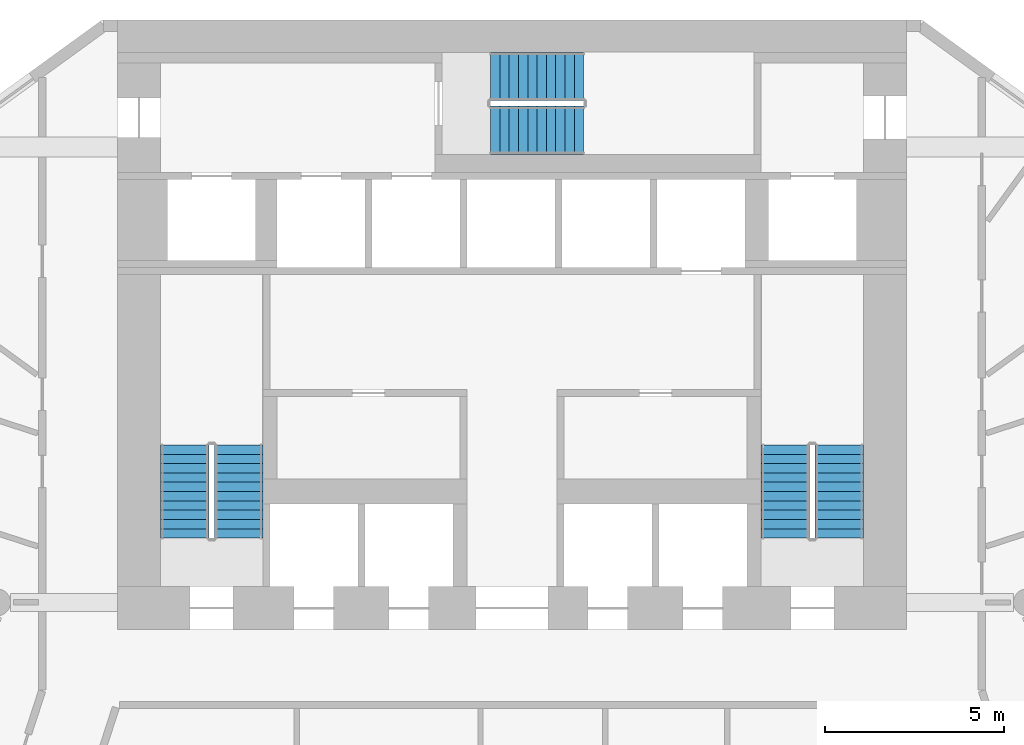
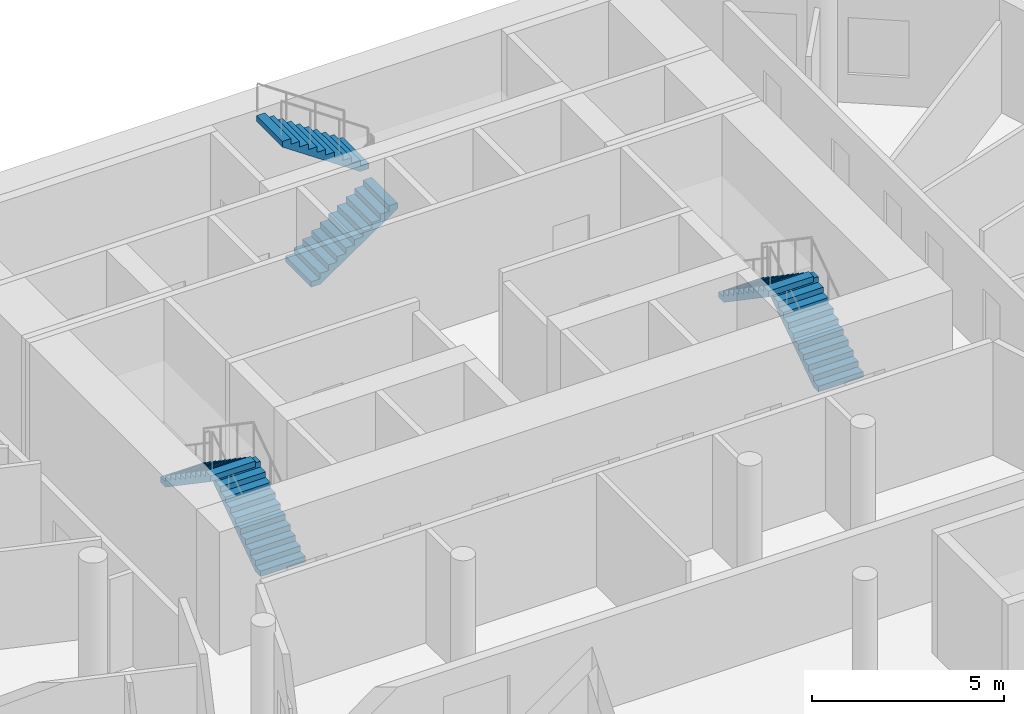
# One storey, part 7 of 9: 6 stair flights, 3 elements without a shape of their own.
"""IFC4 building model written with IfcOpenShell, lengths in metres."""

from ifc_helpers import new_model, si_unit, direction, frame, origin, place, context, subcontext, project, spatial, polyline, outline, extrude, material, layer, layer_set, type_object, element, aggregate, save


model = new_model("IFC4")

# Units and contexts
model_context = context("Model", 3, precision=1e-05, world=origin(), true_north=direction((0.0, 1.0)))
body_context = subcontext(model_context, "Body", "Model", "MODEL_VIEW")
ifc_project = project(units=[si_unit("LENGTHUNIT", "METRE"), si_unit("AREAUNIT", "SQUARE_METRE"), si_unit("VOLUMEUNIT", "CUBIC_METRE"), si_unit("PLANEANGLEUNIT", "RADIAN"), si_unit("MASSUNIT", "GRAM", prefix="KILO")], contexts=[model_context])

# Site, building, storey
site_placement = place(None, origin())
site = spatial("IfcSite", under=ifc_project, at=site_placement, CompositionType="ELEMENT")
building_placement = place(site_placement, origin())
building = spatial("IfcBuilding", under=site, at=building_placement, Name="White Candle Pilgrim Tower", CompositionType="ELEMENT")
storey_placement = place(building_placement, frame((0.0, 0.0, 70.199951171875)))
storey = spatial("IfcBuildingStorey", under=building, at=storey_placement, Name="L14", CompositionType="ELEMENT", Elevation=70.199951171875)

# Stair, stair flights
ifc_material = material(Name="Concrete C40/50", Category="concrete")
stair_type_1 = type_object("IfcStairType", Name="Exit stair 1 flight width 1350 mm", PredefinedType="HALF_TURN_STAIR", material=ifc_material)
stair_1_placement = place(storey_placement, origin())
stair_1 = element("IfcStair", 1, at=stair_1_placement, inside=storey, type_object=stair_type_1, Name="L14 stair 1", PredefinedType="NOTDEFINED")
ifc_layer = layer(ifc_material, 0.14990234375)
ifc_layer_set = layer_set([ifc_layer], Name="Stair flight Concrete C40/50")
stair_flight_type = type_object("IfcStairFlightType", Name="Stair flight Concrete C40/50", PredefinedType="STRAIGHT", material=ifc_layer_set)
stair_flight_1_placement = place(storey_placement, frame((62.375, 73.550048828125, 0.0), z_axis=(0.0, 0.0, 1.0), x_axis=(0.0, 1.0, 0.0)))
stair_flight_1 = element("IfcStairFlight", 2, at=stair_flight_1_placement, type_object=stair_flight_type, Name="ST1 flight 1", NumberOfRisers=11, NumberOfTreads=10, PredefinedType="NOTDEFINED", RiserHeight=0.177272727, TreadLength=0.26, context=body_context, shape_type="SweptSolid", body=[
    extrude(outline(polyline([(0.0, 0.0), (0.0, 0.17724609375), (0.260009765625, 0.17724609375), (0.260009765625, 0.3544921875), (0.52001953125, 0.3544921875), (0.52001953125, 0.53173828125), (0.780029296875, 0.53173828125), (0.780029296875, 0.708984375), (1.0400390625, 0.708984375), (1.0400390625, 0.886474609375), (1.300048828125, 0.886474609375), (1.300048828125, 1.063720703125), (1.56005859375, 1.063720703125), (1.56005859375, 1.240966796875), (1.820068359375, 1.240966796875), (1.820068359375, 1.418212890625), (2.080078125, 1.418212890625), (2.080078125, 1.595458984375), (2.340087890625, 1.595458984375), (2.340087890625, 1.772705078125), (2.60009765625, 1.772705078125), (2.60009765625, 1.949951171875), (2.60009765625, 1.59130859375), (0.26611328125, 0.0), (0.0, 0.0)])), frame((0.0, 0.675048828125, 0.0), z_axis=(0.0, -1.0, 0.0), x_axis=(1.0, 0.0, 0.0)), (0.0, 0.0, 1.0), 1.35009765625),
])
stair_flight_2_placement = place(storey_placement, frame((60.875, 76.14990234375, 1.949951171875), z_axis=(0.0, 0.0, 1.0), x_axis=(0.0, -1.0, 0.0)))
stair_flight_2 = element("IfcStairFlight", 3, at=stair_flight_2_placement, type_object=stair_flight_type, Name="ST1 flight 2", NumberOfRisers=11, NumberOfTreads=10, PredefinedType="NOTDEFINED", RiserHeight=0.177272727, TreadLength=0.26, context=body_context, shape_type="SweptSolid", body=[
    extrude(outline(polyline([(0.0, 0.0), (0.0, 0.17724609375), (0.260009765625, 0.17724609375), (0.260009765625, 0.3544921875), (0.52001953125, 0.3544921875), (0.52001953125, 0.53173828125), (0.780029296875, 0.53173828125), (0.780029296875, 0.708984375), (1.0400390625, 0.708984375), (1.0400390625, 0.886474609375), (1.300048828125, 0.886474609375), (1.300048828125, 1.063720703125), (1.56005859375, 1.063720703125), (1.56005859375, 1.240966796875), (1.820068359375, 1.240966796875), (1.820068359375, 1.418212890625), (2.080078125, 1.418212890625), (2.080078125, 1.595458984375), (2.340087890625, 1.595458984375), (2.340087890625, 1.772705078125), (2.60009765625, 1.772705078125), (2.60009765625, 1.949951171875), (2.60009765625, 1.59130859375), (0.26611328125, 0.0), (0.0, 0.0)])), frame((0.0, 0.675048828125, 0.0), z_axis=(0.0, -1.0, 0.0), x_axis=(1.0, 0.0, 0.0)), (0.0, 0.0, 1.0), 1.35009765625),
])
aggregate(stair_1, [stair_flight_1, stair_flight_2])

stair_type_2 = type_object("IfcStairType", Name="Exit stair 2 flight width 1350 mm", PredefinedType="HALF_TURN_STAIR", material=ifc_material)
stair_2_placement = place(storey_placement, origin())
stair_2 = element("IfcStair", 4, at=stair_2_placement, inside=storey, type_object=stair_type_2, Name="L14 stair 2", PredefinedType="NOTDEFINED")
stair_flight_3_placement = place(storey_placement, frame((79.125, 73.550048828125, 0.0), z_axis=(0.0, 0.0, 1.0), x_axis=(0.0, 1.0, 0.0)))
stair_flight_3 = element("IfcStairFlight", 5, at=stair_flight_3_placement, type_object=stair_flight_type, Name="ST2 flight 1", NumberOfRisers=11, NumberOfTreads=10, PredefinedType="NOTDEFINED", RiserHeight=0.177272727, TreadLength=0.26, context=body_context, shape_type="SweptSolid", body=[
    extrude(outline(polyline([(0.0, 0.0), (0.0, 0.17724609375), (0.260009765625, 0.17724609375), (0.260009765625, 0.3544921875), (0.52001953125, 0.3544921875), (0.52001953125, 0.53173828125), (0.780029296875, 0.53173828125), (0.780029296875, 0.708984375), (1.0400390625, 0.708984375), (1.0400390625, 0.886474609375), (1.300048828125, 0.886474609375), (1.300048828125, 1.063720703125), (1.56005859375, 1.063720703125), (1.56005859375, 1.240966796875), (1.820068359375, 1.240966796875), (1.820068359375, 1.418212890625), (2.080078125, 1.418212890625), (2.080078125, 1.595458984375), (2.340087890625, 1.595458984375), (2.340087890625, 1.772705078125), (2.60009765625, 1.772705078125), (2.60009765625, 1.949951171875), (2.60009765625, 1.59130859375), (0.26611328125, 0.0), (0.0, 0.0)])), frame((0.0, 0.675048828125, 0.0), z_axis=(0.0, -1.0, 0.0), x_axis=(1.0, 0.0, 0.0)), (0.0, 0.0, 1.0), 1.35009765625),
])
stair_flight_4_placement = place(storey_placement, frame((77.625, 76.14990234375, 1.949951171875), z_axis=(0.0, 0.0, 1.0), x_axis=(0.0, -1.0, 0.0)))
stair_flight_4 = element("IfcStairFlight", 6, at=stair_flight_4_placement, type_object=stair_flight_type, Name="ST2 flight 2", NumberOfRisers=11, NumberOfTreads=10, PredefinedType="NOTDEFINED", RiserHeight=0.177272727, TreadLength=0.26, context=body_context, shape_type="SweptSolid", body=[
    extrude(outline(polyline([(0.0, 0.0), (0.0, 0.17724609375), (0.260009765625, 0.17724609375), (0.260009765625, 0.3544921875), (0.52001953125, 0.3544921875), (0.52001953125, 0.53173828125), (0.780029296875, 0.53173828125), (0.780029296875, 0.708984375), (1.0400390625, 0.708984375), (1.0400390625, 0.886474609375), (1.300048828125, 0.886474609375), (1.300048828125, 1.063720703125), (1.56005859375, 1.063720703125), (1.56005859375, 1.240966796875), (1.820068359375, 1.240966796875), (1.820068359375, 1.418212890625), (2.080078125, 1.418212890625), (2.080078125, 1.595458984375), (2.340087890625, 1.595458984375), (2.340087890625, 1.772705078125), (2.60009765625, 1.772705078125), (2.60009765625, 1.949951171875), (2.60009765625, 1.59130859375), (0.26611328125, 0.0), (0.0, 0.0)])), frame((0.0, 0.675048828125, 0.0), z_axis=(0.0, -1.0, 0.0), x_axis=(1.0, 0.0, 0.0)), (0.0, 0.0, 1.0), 1.35009765625),
])
aggregate(stair_2, [stair_flight_3, stair_flight_4])

stair_type_3 = type_object("IfcStairType", Name="Exit stair 3 flight width 1350 mm", PredefinedType="HALF_TURN_STAIR", material=ifc_material)
stair_3_placement = place(storey_placement, origin())
stair_3 = element("IfcStair", 7, at=stair_3_placement, inside=storey, type_object=stair_type_3, Name="L14 stair 3", PredefinedType="NOTDEFINED")
stair_flight_5_placement = place(storey_placement, frame((69.39990234375, 84.925048828125, 0.0), z_axis=(0.0, 0.0, 1.0), x_axis=(1.0, 0.0, 0.0)))
stair_flight_5 = element("IfcStairFlight", 8, at=stair_flight_5_placement, type_object=stair_flight_type, Name="ST3 flight 1", NumberOfRisers=11, NumberOfTreads=10, PredefinedType="NOTDEFINED", RiserHeight=0.177272727, TreadLength=0.26, context=body_context, shape_type="SweptSolid", body=[
    extrude(outline(polyline([(0.0, 0.0), (0.0, 0.17724609375), (0.260009765625, 0.17724609375), (0.260009765625, 0.3544921875), (0.52001953125, 0.3544921875), (0.52001953125, 0.53173828125), (0.780029296875, 0.53173828125), (0.780029296875, 0.708984375), (1.0400390625, 0.708984375), (1.0400390625, 0.886474609375), (1.300048828125, 0.886474609375), (1.300048828125, 1.063720703125), (1.56005859375, 1.063720703125), (1.56005859375, 1.240966796875), (1.820068359375, 1.240966796875), (1.820068359375, 1.418212890625), (2.080078125, 1.418212890625), (2.080078125, 1.595458984375), (2.340087890625, 1.595458984375), (2.340087890625, 1.772705078125), (2.60009765625, 1.772705078125), (2.60009765625, 1.949951171875), (2.60009765625, 1.59130859375), (0.26611328125, 0.0), (0.0, 0.0)])), frame((0.0, 0.675048828125, 0.0), z_axis=(0.0, -1.0, 0.0), x_axis=(1.0, 0.0, 0.0)), (0.0, 0.0, 1.0), 1.35009765625),
])
stair_flight_6_placement = place(storey_placement, frame((72.0, 86.425048828125, 1.949951171875), z_axis=(0.0, 0.0, 1.0), x_axis=(-1.0, 0.0, 0.0)))
stair_flight_6 = element("IfcStairFlight", 9, at=stair_flight_6_placement, type_object=stair_flight_type, Name="ST3 flight 2", NumberOfRisers=11, NumberOfTreads=10, PredefinedType="NOTDEFINED", RiserHeight=0.177272727, TreadLength=0.26, context=body_context, shape_type="SweptSolid", body=[
    extrude(outline(polyline([(0.0, 0.0), (0.0, 0.17724609375), (0.260009765625, 0.17724609375), (0.260009765625, 0.3544921875), (0.52001953125, 0.3544921875), (0.52001953125, 0.53173828125), (0.780029296875, 0.53173828125), (0.780029296875, 0.708984375), (1.0400390625, 0.708984375), (1.0400390625, 0.886474609375), (1.300048828125, 0.886474609375), (1.300048828125, 1.063720703125), (1.56005859375, 1.063720703125), (1.56005859375, 1.240966796875), (1.820068359375, 1.240966796875), (1.820068359375, 1.418212890625), (2.080078125, 1.418212890625), (2.080078125, 1.595458984375), (2.340087890625, 1.595458984375), (2.340087890625, 1.772705078125), (2.60009765625, 1.772705078125), (2.60009765625, 1.949951171875), (2.60009765625, 1.59130859375), (0.26611328125, 0.0), (0.0, 0.0)])), frame((0.0, 0.675048828125, 0.0), z_axis=(0.0, -1.0, 0.0), x_axis=(1.0, 0.0, 0.0)), (0.0, 0.0, 1.0), 1.35009765625),
])
aggregate(stair_3, [stair_flight_5, stair_flight_6])

save(model, "model.ifc")
